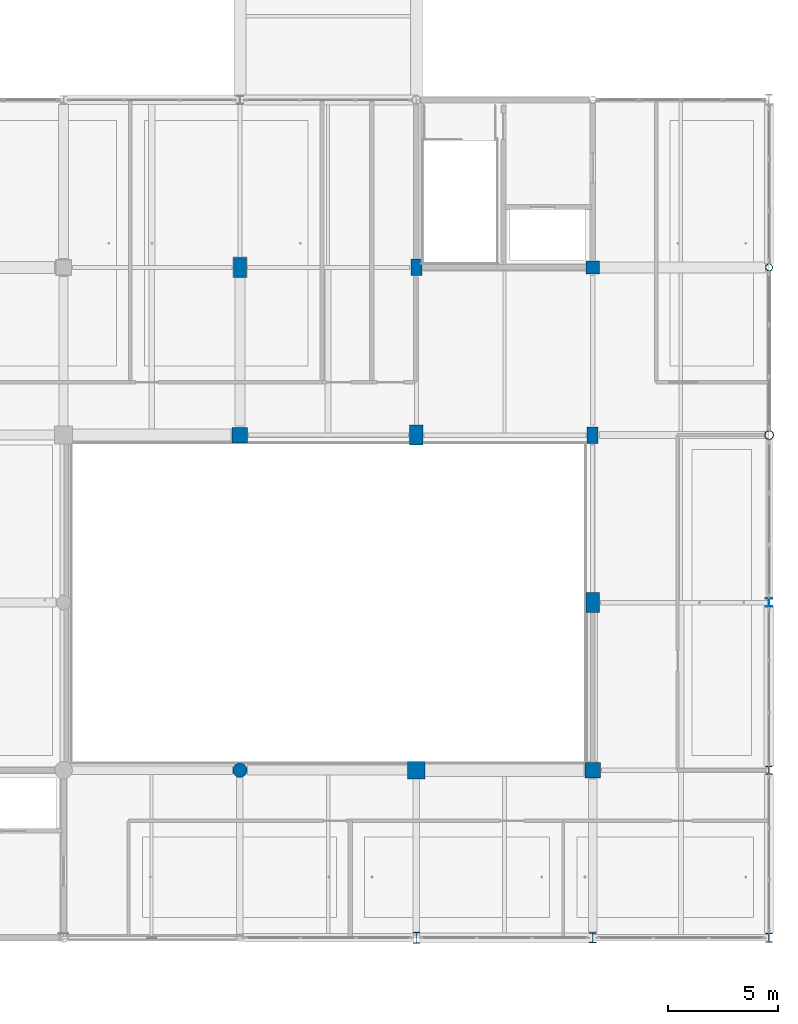
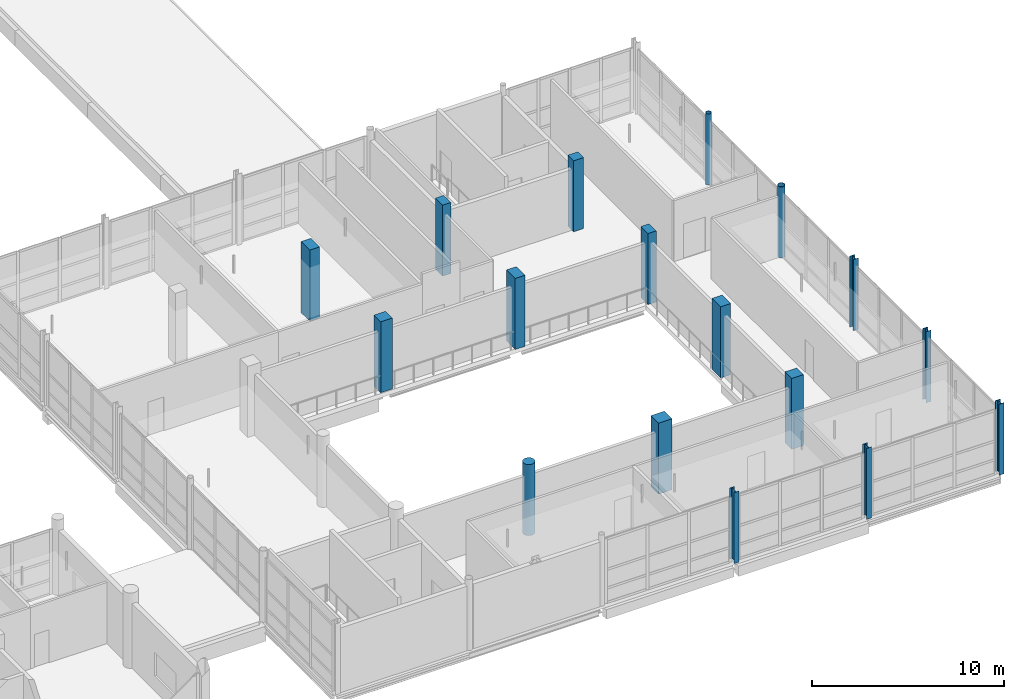
# One storey, part 6 of 107: 17 columns.
"""IFC4 building model written with IfcOpenShell, lengths in metres."""

from ifc_helpers import new_model, si_unit, direction, frame, origin, origin_2d, place, context, subcontext, project, spatial, rectangle, circle, hollow_circle, i_section, extrude, material, material_profile, profile_set, type_object, element, save


model = new_model("IFC4")

# Units and contexts
model_context = context("Model", 3, precision=1e-05, world=origin(), true_north=direction((0.0, 1.0)))
body_context = subcontext(model_context, "Body", "Model", "MODEL_VIEW")
ifc_project = project(units=[si_unit("LENGTHUNIT", "METRE"), si_unit("AREAUNIT", "SQUARE_METRE"), si_unit("VOLUMEUNIT", "CUBIC_METRE"), si_unit("PLANEANGLEUNIT", "RADIAN"), si_unit("MASSUNIT", "GRAM", prefix="KILO")], contexts=[model_context])

# Site, building, storey
site_placement = place(None, origin())
site = spatial("IfcSite", under=ifc_project, at=site_placement, CompositionType="ELEMENT")
building_placement = place(site_placement, origin())
building = spatial("IfcBuilding", under=site, at=building_placement, Name="Khelvaren Railside Concert Hall", CompositionType="ELEMENT")
storey_placement = place(building_placement, frame((0.0, 0.0, 15.0)))
storey = spatial("IfcBuildingStorey", under=building, at=storey_placement, Name="L03", CompositionType="ELEMENT", Elevation=15.0)

# Columns
ifc_material_1 = material(Name="Steel S355", Category="steel")
ifc_material_profile_1 = material_profile(ifc_material_1, i_section(OverallWidth=0.300048828125, OverallDepth=0.360107421875, WebThickness=0.012451171875, FlangeThickness=0.0224609375, FilletRadius=0.027099609375, at=origin_2d()), Name="HEB 360")
ifc_profile_set_1 = profile_set([ifc_material_profile_1], Name="Steel S355")
column_type_1 = type_object("IfcColumnType", Name="COL12", PredefinedType="COLUMN", material=ifc_profile_set_1)
column_1_placement = place(storey_placement, frame((184.0, 7.60009765625, 0.0), z_axis=(0.0, 0.0, 1.0), x_axis=(1.0, 0.0, 0.0)))
element("IfcColumn", 1, at=column_1_placement, inside=storey, type_object=column_type_1, Name="V2 L03 Column (184.0,7.6)", PredefinedType="COLUMN", context=body_context, shape_type="SweptSolid", body=[
    extrude(i_section(OverallWidth=0.300048828125, OverallDepth=0.360107421875, WebThickness=0.012451171875, FlangeThickness=0.0224609375, FilletRadius=0.027099609375, at=origin_2d()), origin(), (0.0, 0.0, 1.0), 4.530029296875),
])
ifc_material_profile_2 = material_profile(ifc_material_1, i_section(OverallWidth=0.300048828125, OverallDepth=0.5, WebThickness=0.014404296875, FlangeThickness=0.028076171875, FilletRadius=0.027099609375, at=origin_2d()), Name="HEB 500")
ifc_profile_set_2 = profile_set([ifc_material_profile_2], Name="Steel S355")
column_type_2 = type_object("IfcColumnType", Name="COL15", PredefinedType="COLUMN", material=ifc_profile_set_2)
column_2_placement = place(storey_placement, frame((168.0, 0.0, 0.0), z_axis=(0.0, 0.0, 1.0), x_axis=(1.0, 0.0, 0.0)))
element("IfcColumn", 2, at=column_2_placement, inside=storey, type_object=column_type_2, Name="V2 L03 Column (168.0,0.0)", PredefinedType="COLUMN", context=body_context, shape_type="SweptSolid", body=[
    extrude(i_section(OverallWidth=0.300048828125, OverallDepth=0.5, WebThickness=0.014404296875, FlangeThickness=0.028076171875, FilletRadius=0.027099609375, at=origin_2d()), origin(), (0.0, 0.0, 1.0), 4.530029296875),
])
ifc_material_2 = material(Name="Concrete C45/55", Category="concrete")
ifc_material_profile_3 = material_profile(ifc_material_2, rectangle(XDim=0.800048828125, YDim=0.800048828125, at=origin_2d()), Name="RC 800x800")
ifc_profile_set_3 = profile_set([ifc_material_profile_3], Name="Concrete C45/55")
column_type_3 = type_object("IfcColumnType", Name="COL20", PredefinedType="COLUMN", material=ifc_profile_set_3)
column_3_placement = place(storey_placement, frame((168.0, 7.60009765625, 0.0), z_axis=(0.0, 0.0, 1.0), x_axis=(1.0, 0.0, 0.0)))
element("IfcColumn", 3, at=column_3_placement, inside=storey, type_object=column_type_3, Name="V2 L03 Column (168.0,7.6)", PredefinedType="COLUMN", context=body_context, shape_type="SweptSolid", body=[
    extrude(rectangle(XDim=0.800048828125, YDim=0.800048828125, at=origin_2d()), origin(), (0.0, 0.0, 1.0), 4.530029296875),
])
ifc_material_profile_4 = material_profile(ifc_material_1, i_section(OverallWidth=0.300048828125, OverallDepth=0.389892578125, WebThickness=0.010986328125, FlangeThickness=0.01904296875, FilletRadius=0.027099609375, at=origin_2d()), Name="HEA 400")
ifc_profile_set_4 = profile_set([ifc_material_profile_4], Name="Steel S355")
column_type_4 = type_object("IfcColumnType", Name="COL23", PredefinedType="COLUMN", material=ifc_profile_set_4)
column_4_placement = place(storey_placement, frame((184.0, 15.199951171875, 0.0), z_axis=(0.0, 0.0, 1.0), x_axis=(1.0, 0.0, 0.0)))
element("IfcColumn", 4, at=column_4_placement, inside=storey, type_object=column_type_4, Name="V2 L03 Column (184.0,15.2)", PredefinedType="COLUMN", context=body_context, shape_type="SweptSolid", body=[
    extrude(i_section(OverallWidth=0.300048828125, OverallDepth=0.389892578125, WebThickness=0.010986328125, FlangeThickness=0.01904296875, FilletRadius=0.027099609375, at=origin_2d()), origin(), (0.0, 0.0, 1.0), 4.530029296875),
])
ifc_material_profile_5 = material_profile(ifc_material_1, hollow_circle(Radius=0.203125, WallThickness=0.02001953125, at=origin_2d()), Name="CHS 406.4x20")
ifc_profile_set_5 = profile_set([ifc_material_profile_5], Name="Steel S355")
column_type_5 = type_object("IfcColumnType", Name="COL27", PredefinedType="COLUMN", material=ifc_profile_set_5)
column_5_placement = place(storey_placement, frame((184.0, 22.800048828125, 0.0), z_axis=(0.0, 0.0, 1.0), x_axis=(1.0, 0.0, 0.0)))
element("IfcColumn", 5, at=column_5_placement, inside=storey, type_object=column_type_5, Name="V2 L03 Column (184.0,22.8)", PredefinedType="COLUMN", context=body_context, shape_type="SweptSolid", body=[
    extrude(hollow_circle(Radius=0.203125, WallThickness=0.02001953125, at=origin_2d()), origin(), (0.0, 0.0, 1.0), 4.530029296875),
])
ifc_material_profile_6 = material_profile(ifc_material_2, rectangle(XDim=0.60009765625, YDim=0.60009765625, at=origin_2d()), Name="RC 600x600")
ifc_profile_set_6 = profile_set([ifc_material_profile_6], Name="Concrete C45/55")
column_type_6 = type_object("IfcColumnType", Name="COL29", PredefinedType="COLUMN", material=ifc_profile_set_6)
column_6_placement = place(storey_placement, frame((176.0, 30.39990234375, 0.0), z_axis=(0.0, 0.0, 1.0), x_axis=(1.0, 0.0, 0.0)))
element("IfcColumn", 6, at=column_6_placement, inside=storey, type_object=column_type_6, Name="V2 L03 Column (176.0,30.4)", PredefinedType="COLUMN", context=body_context, shape_type="SweptSolid", body=[
    extrude(rectangle(XDim=0.60009765625, YDim=0.60009765625, at=origin_2d()), origin(), (0.0, 0.0, 1.0), 4.530029296875),
])
ifc_material_profile_7 = material_profile(ifc_material_2, rectangle(XDim=0.60009765625, YDim=0.89990234375, at=origin_2d()), Name="RC 600x900")
ifc_profile_set_7 = profile_set([ifc_material_profile_7], Name="Concrete C45/55")
column_type_7 = type_object("IfcColumnType", Name="COL33", PredefinedType="COLUMN", material=ifc_profile_set_7)
for number, where, z_axis, x_axis, name in (
    (7, (160.0, 30.39990234375, 0.0), (0.0, 0.0, 1.0), (1.0, 0.0, 0.0), "V2 L03 Column (160.0,30.4)"),
    (8, (168.0, 22.800048828125, 0.0), (0.0, 0.0, 1.0), (1.0, 0.0, 0.0), "V2 L03 Column (168.0,22.8)"),
    (9, (176.0, 15.199951171875, 0.0), (0.0, 0.0, 1.0), (1.0, 0.0, 0.0), "V2 L03 Column (176.0,15.2)"),
):
    element("IfcColumn", number, at=place(storey_placement, frame(where, z_axis=z_axis, x_axis=x_axis)), inside=storey, type_object=column_type_7, Name=name, PredefinedType="COLUMN", context=body_context, shape_type="SweptSolid", body=[
        extrude(rectangle(XDim=0.60009765625, YDim=0.89990234375, at=origin_2d()), origin(), (0.0, 0.0, 1.0), 4.530029296875),
    ])
ifc_material_profile_8 = material_profile(ifc_material_2, rectangle(XDim=0.5, YDim=0.75, at=origin_2d()), Name="RC 500x750")
ifc_profile_set_8 = profile_set([ifc_material_profile_8], Name="Concrete C45/55")
column_type_8 = type_object("IfcColumnType", Name="COL36", PredefinedType="COLUMN", material=ifc_profile_set_8)
for number, where, z_axis, x_axis, name in (
    (10, (168.0, 30.39990234375, 0.0), (0.0, 0.0, 1.0), (1.0, 0.0, 0.0), "V2 L03 Column (168.0,30.4)"),
    (11, (176.0, 22.800048828125, 0.0), (0.0, 0.0, 1.0), (1.0, 0.0, 0.0), "V2 L03 Column (176.0,22.8)"),
):
    element("IfcColumn", number, at=place(storey_placement, frame(where, z_axis=z_axis, x_axis=x_axis)), inside=storey, type_object=column_type_8, Name=name, PredefinedType="COLUMN", context=body_context, shape_type="SweptSolid", body=[
        extrude(rectangle(XDim=0.5, YDim=0.75, at=origin_2d()), origin(), (0.0, 0.0, 1.0), 4.530029296875),
    ])
ifc_material_profile_9 = material_profile(ifc_material_1, hollow_circle(Radius=0.161865234375, WallThickness=0.01611328125, at=origin_2d()), Name="CHS 323.9x16")
ifc_profile_set_9 = profile_set([ifc_material_profile_9], Name="Steel S355")
column_type_9 = type_object("IfcColumnType", Name="COL47", PredefinedType="COLUMN", material=ifc_profile_set_9)
column_7_placement = place(storey_placement, frame((184.0, 30.39990234375, 0.0), z_axis=(0.0, 0.0, 1.0), x_axis=(1.0, 0.0, 0.0)))
element("IfcColumn", 12, at=column_7_placement, inside=storey, type_object=column_type_9, Name="V2 L03 Column (184.0,30.4)", PredefinedType="COLUMN", context=body_context, shape_type="SweptSolid", body=[
    extrude(hollow_circle(Radius=0.161865234375, WallThickness=0.01611328125, at=origin_2d()), origin(), (0.0, 0.0, 1.0), 4.530029296875),
])
ifc_material_profile_10 = material_profile(ifc_material_2, rectangle(XDim=0.699951171875, YDim=0.699951171875, at=origin_2d()), Name="RC 700x700")
ifc_profile_set_10 = profile_set([ifc_material_profile_10], Name="Concrete C45/55")
column_type_10 = type_object("IfcColumnType", Name="COL74", PredefinedType="COLUMN", material=ifc_profile_set_10)
for number, where, z_axis, x_axis, name in (
    (13, (160.0, 22.800048828125, 0.0), (0.0, 0.0, 1.0), (1.0, 0.0, 0.0), "V2 L03 Column (160.0,22.8)"),
    (14, (176.0, 7.60009765625, 0.0), (0.0, 0.0, 1.0), (1.0, 0.0, 0.0), "V2 L03 Column (176.0,7.6)"),
):
    element("IfcColumn", number, at=place(storey_placement, frame(where, z_axis=z_axis, x_axis=x_axis)), inside=storey, type_object=column_type_10, Name=name, PredefinedType="COLUMN", context=body_context, shape_type="SweptSolid", body=[
        extrude(rectangle(XDim=0.699951171875, YDim=0.699951171875, at=origin_2d()), origin(), (0.0, 0.0, 1.0), 4.530029296875),
    ])
ifc_material_profile_11 = material_profile(ifc_material_1, i_section(OverallWidth=0.300048828125, OverallDepth=0.449951171875, WebThickness=0.013916015625, FlangeThickness=0.02587890625, FilletRadius=0.027099609375, at=origin_2d()), Name="HEB 450")
ifc_profile_set_11 = profile_set([ifc_material_profile_11], Name="Steel S355")
column_type_11 = type_object("IfcColumnType", Name="COL77", PredefinedType="COLUMN", material=ifc_profile_set_11)
column_8_placement = place(storey_placement, frame((176.0, 0.0, 0.0), z_axis=(0.0, 0.0, 1.0), x_axis=(1.0, 0.0, 0.0)))
element("IfcColumn", 15, at=column_8_placement, inside=storey, type_object=column_type_11, Name="V2 L03 Column (176.0,0.0)", PredefinedType="COLUMN", context=body_context, shape_type="SweptSolid", body=[
    extrude(i_section(OverallWidth=0.300048828125, OverallDepth=0.449951171875, WebThickness=0.013916015625, FlangeThickness=0.02587890625, FilletRadius=0.027099609375, at=origin_2d()), origin(), (0.0, 0.0, 1.0), 4.530029296875),
])
ifc_material_profile_12 = material_profile(ifc_material_1, i_section(OverallWidth=0.300048828125, OverallDepth=0.39990234375, WebThickness=0.013427734375, FlangeThickness=0.02392578125, FilletRadius=0.027099609375, at=origin_2d()), Name="HEB 400")
ifc_profile_set_12 = profile_set([ifc_material_profile_12], Name="Steel S355")
column_type_12 = type_object("IfcColumnType", Name="COL88", PredefinedType="COLUMN", material=ifc_profile_set_12)
column_9_placement = place(storey_placement, frame((184.0, 0.0, 0.0), z_axis=(0.0, 0.0, 1.0), x_axis=(1.0, 0.0, 0.0)))
element("IfcColumn", 16, at=column_9_placement, inside=storey, type_object=column_type_12, Name="V2 L03 Column (184.0,0.0)", PredefinedType="COLUMN", context=body_context, shape_type="SweptSolid", body=[
    extrude(i_section(OverallWidth=0.300048828125, OverallDepth=0.39990234375, WebThickness=0.013427734375, FlangeThickness=0.02392578125, FilletRadius=0.027099609375, at=origin_2d()), origin(), (0.0, 0.0, 1.0), 4.530029296875),
])
ifc_material_profile_13 = material_profile(ifc_material_2, circle(Radius=0.324951171875, at=origin_2d()), Name="RC D650")
ifc_profile_set_13 = profile_set([ifc_material_profile_13], Name="Concrete C45/55")
column_type_13 = type_object("IfcColumnType", Name="COL94", PredefinedType="COLUMN", material=ifc_profile_set_13)
column_10_placement = place(storey_placement, frame((160.0, 7.60009765625, 0.0), z_axis=(0.0, 0.0, 1.0), x_axis=(1.0, 0.0, 0.0)))
element("IfcColumn", 17, at=column_10_placement, inside=storey, type_object=column_type_13, Name="V2 L03 Column (160.0,7.6)", PredefinedType="COLUMN", context=body_context, shape_type="SweptSolid", body=[
    extrude(circle(Radius=0.324951171875, at=origin_2d()), origin(), (0.0, 0.0, 1.0), 4.530029296875),
])

save(model, "model.ifc")
